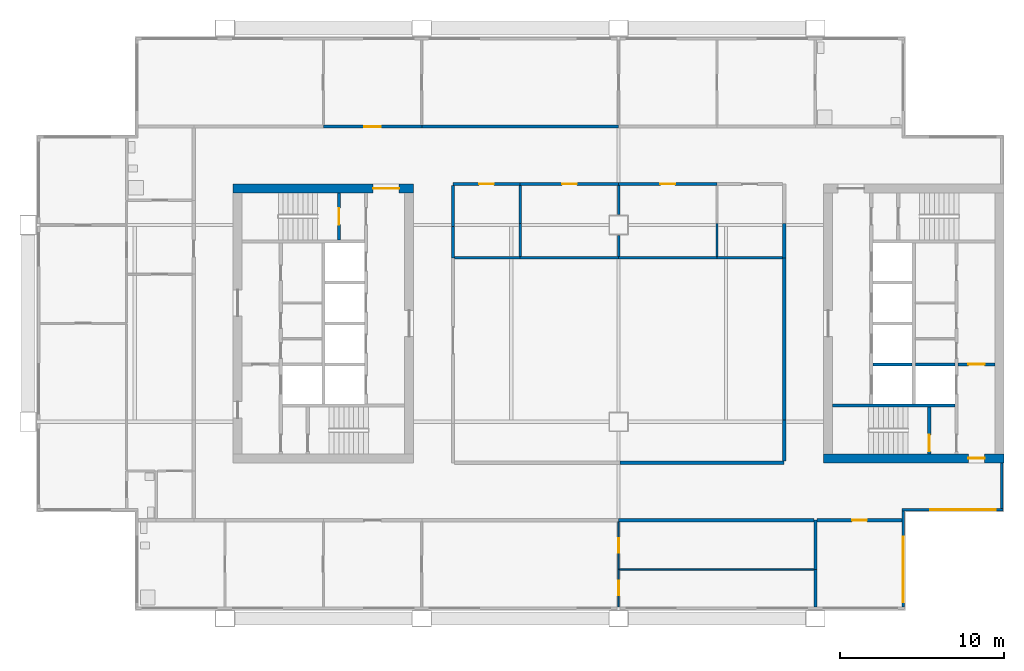
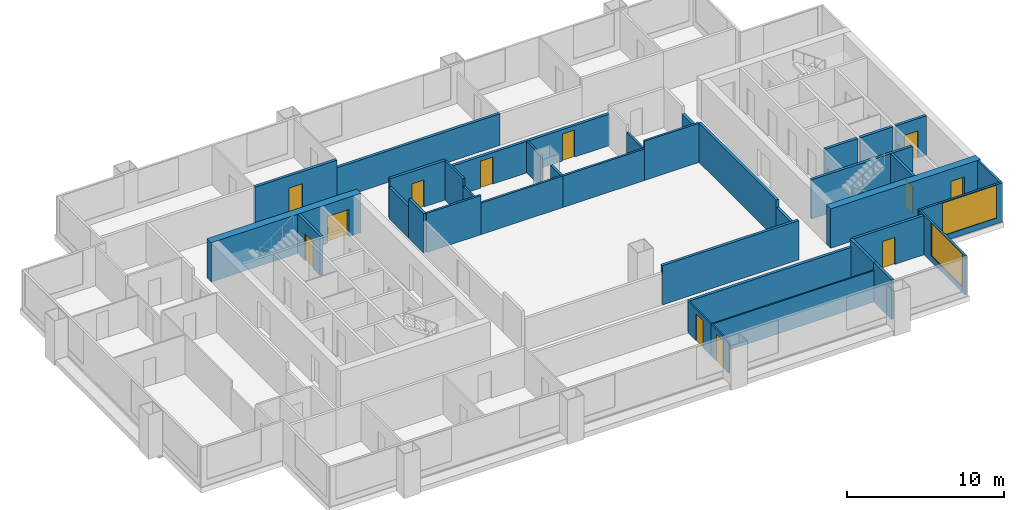
# One storey, part 4 of 8: 38 walls, 12 doors, 2 windows, 14 openings.
"""IFC4 building model written with IfcOpenShell, lengths in metres."""

from ifc_helpers import new_model, si_unit, direction, frame, frame_2d, origin, place, context, subcontext, project, spatial, rectangle, extrude, material, layer, layer_set, type_object, element, fill, save


model = new_model("IFC4")

# Units and contexts
model_context = context("Model", 3, precision=1e-05, world=origin(), true_north=direction((0.0, 1.0)))
body_context = subcontext(model_context, "Body", "Model", "MODEL_VIEW")
ifc_project = project(units=[si_unit("LENGTHUNIT", "METRE"), si_unit("AREAUNIT", "SQUARE_METRE"), si_unit("VOLUMEUNIT", "CUBIC_METRE"), si_unit("PLANEANGLEUNIT", "RADIAN"), si_unit("MASSUNIT", "GRAM", prefix="KILO")], contexts=[model_context])

# Site, building, storey
site_placement = place(None, origin())
site = spatial("IfcSite", under=ifc_project, at=site_placement, CompositionType="ELEMENT")
building_placement = place(site_placement, origin())
building = spatial("IfcBuilding", under=site, at=building_placement, Name="Kitamizu Gate Tower and Museum", CompositionType="ELEMENT")
storey_placement = place(building_placement, frame((0.0, 0.0, 203.10009765625)))
storey = spatial("IfcBuildingStorey", under=building, at=storey_placement, Name="L54", CompositionType="ELEMENT", Elevation=203.10009765625)

# Wall, opening, door
ifc_material_1 = material(Name="Concrete Fc42", Category="concrete")
ifc_layer_1 = layer(ifc_material_1, 0.550048828125)
ifc_layer_set_1 = layer_set([ifc_layer_1], Name="Concrete Fc42")
wall_type_1 = type_object("IfcWallType", Name="Core wall 550", PredefinedType="SHEAR", material=ifc_layer_set_1)
wall_1_placement = place(storey_placement, frame((12.5, 38.22509765625, 0.0), z_axis=(0.0, 0.0, 1.0), x_axis=(1.0, 0.0, 0.0)))
wall_1 = element("IfcWall", 1, at=wall_1_placement, inside=storey, type_object=wall_type_1, Name="Core wall WN", PredefinedType="SHEAR", context=body_context, shape_type="SweptSolid", body=[
    extrude(rectangle(XDim=11.0, YDim=0.550048828125, at=frame_2d((5.5, 0.0))), origin(), (0.0, 0.0, 1.0), 3.0498046875),
])
opening_1_placement = place(wall_1_placement, frame((8.52490234375, 0.0, 0.0)))
opening_1 = element("IfcOpeningElement", 2, at=opening_1_placement, cuts=wall_1, Name="Opening L54-034", PredefinedType="OPENING", context=body_context, shape_type="SweptSolid", body=[
    extrude(rectangle(XDim=1.60009765625, YDim=2.10009765625, at=frame_2d((0.800048828125, 1.050048828125))), frame((0.0, 0.28515625, 0.0), z_axis=(0.0, -1.0, 0.0), x_axis=(1.0, 0.0, 0.0)), (0.0, 0.0, 1.0), 0.570068359375),
])
ifc_material_2 = material(Name="Timber door set", Category="wood")
door_type_1 = type_object("IfcDoorType", Name="Entrance door 1600", OperationType="DOUBLE_DOOR_SINGLE_SWING", PredefinedType="DOOR", material=ifc_material_2)
door_1_placement = place(opening_1_placement, origin())
door_1 = element("IfcDoor", 3, at=door_1_placement, inside=storey, type_object=door_type_1, Name="Lobby door L54-034", OperationType="DOUBLE_DOOR_SINGLE_SWING", OverallHeight=2.10009765625, OverallWidth=1.60009765625, PredefinedType="DOOR", context=body_context, shape_type="SweptSolid", body=[
    extrude(rectangle(XDim=1.60009765625, YDim=2.10009765625, at=frame_2d((0.800048828125, 1.050048828125))), frame((0.0, 0.02490234375, 0.0), z_axis=(0.0, -1.0, 0.0), x_axis=(1.0, 0.0, 0.0)), (0.0, 0.0, 1.0), 0.050048828125),
])
fill(opening_1, door_1)

wall_2_placement = place(storey_placement, frame((59.5, 21.77490234375, 0.0), z_axis=(0.0, 0.0, 1.0), x_axis=(-1.0, 0.0, 0.0)))
wall_2 = element("IfcWall", 4, at=wall_2_placement, inside=storey, type_object=wall_type_1, Name="Core wall ES", PredefinedType="SHEAR", context=body_context, shape_type="SweptSolid", body=[
    extrude(rectangle(XDim=11.0, YDim=0.550048828125, at=frame_2d((5.5, 0.0))), origin(), (0.0, 0.0, 1.0), 3.0498046875),
])
opening_2_placement = place(wall_2_placement, frame((1.175048828125, 0.0, 0.0)))
opening_2 = element("IfcOpeningElement", 5, at=opening_2_placement, cuts=wall_2, Name="Opening L54-044", PredefinedType="OPENING", context=body_context, shape_type="SweptSolid", body=[
    extrude(rectangle(XDim=1.0, YDim=2.10009765625, at=frame_2d((0.5, 1.050048828125))), frame((0.0, 0.28515625, 0.0), z_axis=(0.0, -1.0, 0.0), x_axis=(1.0, 0.0, 0.0)), (0.0, 0.0, 1.0), 0.570068359375),
])
ifc_material_3 = material(Name="Hollow metal door set")
door_type_2 = type_object("IfcDoorType", Name="Fire door 1000", OperationType="NOTDEFINED", PredefinedType="DOOR", material=ifc_material_3)
door_2_placement = place(opening_2_placement, frame((1.0, 0.0, 0.0), x_axis=(-1.0, 0.0, 0.0)))
door_2 = element("IfcDoor", 6, at=door_2_placement, inside=storey, type_object=door_type_2, Name="Fire-fighting lobby door L54-044", OperationType="SINGLE_SWING_RIGHT", OverallHeight=2.10009765625, OverallWidth=1.0, PredefinedType="DOOR", context=body_context, shape_type="SweptSolid", body=[
    extrude(rectangle(XDim=1.0, YDim=2.10009765625, at=frame_2d((0.5, 1.050048828125))), frame((0.0, 0.02490234375, 0.0), z_axis=(0.0, -1.0, 0.0), x_axis=(1.0, 0.0, 0.0)), (0.0, 0.0, 1.0), 0.050048828125),
])
fill(opening_2, door_2)

ifc_material_4 = material(Name="Gypsum board on galvanised stud")
ifc_layer_2 = layer(ifc_material_4, 0.10009765625)
ifc_layer_set_2 = layer_set([ifc_layer_2], Name="Gypsum board on galvanised stud")
wall_type_2 = type_object("IfcWallType", Name="Partition 100 NOT RATED", PredefinedType="PARTITIONING", material=ifc_layer_set_2)
wall_3_placement = place(storey_placement, frame((36.0, 12.719970703125, 0.0), z_axis=(0.0, 0.0, 1.0), x_axis=(0.0, 1.0, 0.0)))
wall_3 = element("IfcWall", 7, at=wall_3_placement, inside=storey, type_object=wall_type_2, Name="Partition L54-009", PredefinedType="PARTITIONING", context=body_context, shape_type="SweptSolid", body=[
    extrude(rectangle(XDim=2.280029296875, YDim=0.10009765625, at=frame_2d((1.14013671875, 0.0))), origin(), (0.0, 0.0, 1.0), 2.449951171875),
])
opening_3_placement = place(wall_3_placement, frame((0.68994140625, 0.0, 0.0)))
opening_3 = element("IfcOpeningElement", 8, at=opening_3_placement, cuts=wall_3, Name="Opening L54-003", PredefinedType="OPENING", context=body_context, shape_type="SweptSolid", body=[
    extrude(rectangle(XDim=0.89990234375, YDim=2.10009765625, at=frame_2d((0.449951171875, 1.050048828125))), frame((0.0, 0.06005859375, 0.0), z_axis=(0.0, -1.0, 0.0), x_axis=(1.0, 0.0, 0.0)), (0.0, 0.0, 1.0), 0.1201171875),
])
ifc_material_5 = material(Name="Timber door set", Category="wood")
door_type_3 = type_object("IfcDoorType", Name="Room door 900", OperationType="NOTDEFINED", PredefinedType="DOOR", material=ifc_material_5)
door_3_placement = place(opening_3_placement, frame((0.89990234375, 0.0, 0.0), x_axis=(-1.0, 0.0, 0.0)))
door_3 = element("IfcDoor", 9, at=door_3_placement, inside=storey, type_object=door_type_3, Name="Door L54-003", OperationType="SINGLE_SWING_LEFT", OverallHeight=2.10009765625, OverallWidth=0.89990234375, PredefinedType="DOOR", context=body_context, shape_type="SweptSolid", body=[
    extrude(rectangle(XDim=0.89990234375, YDim=2.10009765625, at=frame_2d((0.449951171875, 1.050048828125))), frame((0.0, 0.02490234375, 0.0), z_axis=(0.0, -1.0, 0.0), x_axis=(1.0, 0.0, 0.0)), (0.0, 0.0, 1.0), 0.050048828125),
])
fill(opening_3, door_3)

wall_4_placement = place(storey_placement, frame((36.0, 15.0, 0.0), z_axis=(0.0, 0.0, 1.0), x_axis=(0.0, 1.0, 0.0)))
wall_4 = element("IfcWall", 10, at=wall_4_placement, inside=storey, type_object=wall_type_2, Name="Partition L54-010", PredefinedType="PARTITIONING", context=body_context, shape_type="SweptSolid", body=[
    extrude(rectangle(XDim=2.89990234375, YDim=0.10009765625, at=frame_2d((1.449951171875, 0.0))), origin(), (0.0, 0.0, 1.0), 2.449951171875),
])
opening_4_placement = place(wall_4_placement, frame((1.0, 0.0, 0.0)))
opening_4 = element("IfcOpeningElement", 11, at=opening_4_placement, cuts=wall_4, Name="Opening L54-004", PredefinedType="OPENING", context=body_context, shape_type="SweptSolid", body=[
    extrude(rectangle(XDim=0.89990234375, YDim=2.10009765625, at=frame_2d((0.449951171875, 1.050048828125))), frame((0.0, 0.06005859375, 0.0), z_axis=(0.0, -1.0, 0.0), x_axis=(1.0, 0.0, 0.0)), (0.0, 0.0, 1.0), 0.1201171875),
])
door_4_placement = place(opening_4_placement, frame((0.89990234375, 0.0, 0.0), x_axis=(-1.0, 0.0, 0.0)))
door_4 = element("IfcDoor", 12, at=door_4_placement, inside=storey, type_object=door_type_3, Name="Door L54-004", OperationType="SINGLE_SWING_RIGHT", OverallHeight=2.10009765625, OverallWidth=0.89990234375, PredefinedType="DOOR", context=body_context, shape_type="SweptSolid", body=[
    extrude(rectangle(XDim=0.89990234375, YDim=2.10009765625, at=frame_2d((0.449951171875, 1.050048828125))), frame((0.0, 0.02490234375, 0.0), z_axis=(0.0, -1.0, 0.0), x_axis=(1.0, 0.0, 0.0)), (0.0, 0.0, 1.0), 0.050048828125),
])
fill(opening_4, door_4)

# Walls
wall_5_placement = place(storey_placement, frame((47.89990234375, 15.0, 0.0), z_axis=(0.0, 0.0, 1.0), x_axis=(-1.0, 0.0, 0.0)))
element("IfcWall", 13, at=wall_5_placement, inside=storey, type_object=wall_type_2, Name="Partition L54-012", PredefinedType="PARTITIONING", context=body_context, shape_type="SweptSolid", body=[
    extrude(rectangle(XDim=11.849853515625, YDim=0.10009765625, at=frame_2d((5.9248046875, 0.0))), origin(), (0.0, 0.0, 1.0), 2.449951171875),
])
ifc_material_6 = material(Name="Gypsum board on galvanised stud")
ifc_layer_3 = layer(ifc_material_6, 0.14990234375)
ifc_layer_set_3 = layer_set([ifc_layer_3], Name="Gypsum board on galvanised stud")
wall_type_3 = type_object("IfcWallType", Name="Partition 150", PredefinedType="PARTITIONING", material=ifc_layer_set_3)
wall_6_placement = place(storey_placement, frame((30.0, 34.0, 0.0), z_axis=(0.0, 0.0, 1.0), x_axis=(-1.0, 0.0, 0.0)))
element("IfcWall", 14, at=wall_6_placement, inside=storey, type_object=wall_type_3, Name="Partition L54-063", PredefinedType="PARTITIONING", context=body_context, shape_type="SweptSolid", body=[
    extrude(rectangle(XDim=4.0, YDim=0.14990234375, at=frame_2d((2.0, 0.0))), origin(), (0.0, 0.0, 1.0), 3.0498046875),
])
for number, where, z_axis, x_axis, name in (
    (15, (36.0, 34.0, 0.0), (0.0, 0.0, 1.0), (-1.0, 0.0, 0.0), "Partition L54-064"),
    (16, (42.0, 34.0, 0.0), (0.0, 0.0, 1.0), (-1.0, 0.0, 0.0), "Partition L54-065"),
):
    element("IfcWall", number, at=place(storey_placement, frame(where, z_axis=z_axis, x_axis=x_axis)), inside=storey, type_object=wall_type_3, Name=name, PredefinedType="PARTITIONING", context=body_context, shape_type="SweptSolid", body=[
        extrude(rectangle(XDim=6.0, YDim=0.14990234375, at=frame_2d((3.0, 0.0))), origin(), (0.0, 0.0, 1.0), 2.449951171875),
    ])
wall_7_placement = place(storey_placement, frame((46.0, 34.0, 0.0), z_axis=(0.0, 0.0, 1.0), x_axis=(-1.0, 0.0, 0.0)))
element("IfcWall", 17, at=wall_7_placement, inside=storey, type_object=wall_type_3, Name="Partition L54-066", PredefinedType="PARTITIONING", context=body_context, shape_type="SweptSolid", body=[
    extrude(rectangle(XDim=4.0, YDim=0.14990234375, at=frame_2d((2.0, 0.0))), origin(), (0.0, 0.0, 1.0), 3.0498046875),
])
wall_8_placement = place(storey_placement, frame((30.0, 34.074951171875, 0.0), z_axis=(0.0, 0.0, 1.0), x_axis=(0.0, 1.0, 0.0)))
element("IfcWall", 18, at=wall_8_placement, inside=storey, type_object=wall_type_3, Name="Partition L54-067", PredefinedType="PARTITIONING", context=body_context, shape_type="SweptSolid", body=[
    extrude(rectangle(XDim=2.025146484375, YDim=0.14990234375, at=frame_2d((1.0126953125, 0.0))), origin(), (0.0, 0.0, 1.0), 2.449951171875),
])
wall_9_placement = place(storey_placement, frame((30.0, 36.10009765625, 0.0), z_axis=(0.0, 0.0, 1.0), x_axis=(0.0, 1.0, 0.0)))
element("IfcWall", 19, at=wall_9_placement, inside=storey, type_object=wall_type_3, Name="Partition L54-068", PredefinedType="PARTITIONING", context=body_context, shape_type="SweptSolid", body=[
    extrude(rectangle(XDim=2.2998046875, YDim=0.14990234375, at=frame_2d((1.14990234375, 0.0))), origin(), (0.0, 0.0, 1.0), 3.0498046875),
])
wall_10_placement = place(storey_placement, frame((36.0, 34.074951171875, 0.0), z_axis=(0.0, 0.0, 1.0), x_axis=(0.0, 1.0, 0.0)))
element("IfcWall", 20, at=wall_10_placement, inside=storey, type_object=wall_type_3, Name="Partition L54-069", PredefinedType="PARTITIONING", context=body_context, shape_type="SweptSolid", body=[
    extrude(rectangle(XDim=1.275146484375, YDim=0.14990234375, at=frame_2d((0.6376953125, 0.0))), origin(), (0.0, 0.0, 1.0), 2.449951171875),
])
wall_11_placement = place(storey_placement, frame((36.0, 36.64990234375, 0.0), z_axis=(0.0, 0.0, 1.0), x_axis=(0.0, 1.0, 0.0)))
element("IfcWall", 21, at=wall_11_placement, inside=storey, type_object=wall_type_3, Name="Partition L54-070", PredefinedType="PARTITIONING", context=body_context, shape_type="SweptSolid", body=[
    extrude(rectangle(XDim=1.75, YDim=0.14990234375, at=frame_2d((0.875, 0.0))), origin(), (0.0, 0.0, 1.0), 2.449951171875),
])
wall_12_placement = place(storey_placement, frame((42.0, 34.074951171875, 0.0), z_axis=(0.0, 0.0, 1.0), x_axis=(0.0, 1.0, 0.0)))
element("IfcWall", 22, at=wall_12_placement, inside=storey, type_object=wall_type_3, Name="Partition L54-071", PredefinedType="PARTITIONING", context=body_context, shape_type="SweptSolid", body=[
    extrude(rectangle(XDim=2.025146484375, YDim=0.14990234375, at=frame_2d((1.0126953125, 0.0))), origin(), (0.0, 0.0, 1.0), 2.449951171875),
])
ifc_material_7 = material(Name="Gypsum board on galvanised stud")
ifc_layer_4 = layer(ifc_material_7, 0.199951171875)
ifc_layer_set_4 = layer_set([ifc_layer_4], Name="Gypsum board on galvanised stud")
wall_type_4 = type_object("IfcWallType", Name="Partition 200", PredefinedType="PARTITIONING", material=ifc_layer_set_4)
wall_13_placement = place(storey_placement, frame((48.0, 12.719970703125, 0.0), z_axis=(0.0, 0.0, 1.0), x_axis=(0.0, 1.0, 0.0)))
element("IfcWall", 23, at=wall_13_placement, inside=storey, type_object=wall_type_4, Name="Partition L54-013", PredefinedType="PARTITIONING", context=body_context, shape_type="SweptSolid", body=[
    extrude(rectangle(XDim=2.280029296875, YDim=0.199951171875, at=frame_2d((1.14013671875, 0.0))), origin(), (0.0, 0.0, 1.0), 3.0498046875),
])
wall_14_placement = place(storey_placement, frame((48.0, 15.0, 0.0), z_axis=(0.0, 0.0, 1.0), x_axis=(0.0, 1.0, 0.0)))
element("IfcWall", 24, at=wall_14_placement, inside=storey, type_object=wall_type_4, Name="Partition L54-014", PredefinedType="PARTITIONING", context=body_context, shape_type="SweptSolid", body=[
    extrude(rectangle(XDim=3.0, YDim=0.199951171875, at=frame_2d((1.5, 0.0))), origin(), (0.0, 0.0, 1.0), 3.0498046875),
])
wall_15_placement = place(storey_placement, frame((47.89990234375, 18.0, 0.0), z_axis=(0.0, 0.0, 1.0), x_axis=(-1.0, 0.0, 0.0)))
element("IfcWall", 25, at=wall_15_placement, inside=storey, type_object=wall_type_4, Name="Partition L54-015", PredefinedType="PARTITIONING", context=body_context, shape_type="SweptSolid", body=[
    extrude(rectangle(XDim=11.89990234375, YDim=0.199951171875, at=frame_2d((5.949951171875, 0.0))), origin(), (0.0, 0.0, 1.0), 2.449951171875),
])

# Wall, opening, door
wall_16_placement = place(storey_placement, frame((53.280029296875, 18.0, 0.0), z_axis=(0.0, 0.0, 1.0), x_axis=(-1.0, 0.0, 0.0)))
wall_16 = element("IfcWall", 26, at=wall_16_placement, inside=storey, type_object=wall_type_4, Name="Partition L54-016", PredefinedType="PARTITIONING", context=body_context, shape_type="SweptSolid", body=[
    extrude(rectangle(XDim=5.179931640625, YDim=0.199951171875, at=frame_2d((2.58984375, 0.0))), origin(), (0.0, 0.0, 1.0), 3.0498046875),
])
opening_5_placement = place(wall_16_placement, frame((2.139892578125, 0.0, 0.0)))
opening_5 = element("IfcOpeningElement", 27, at=opening_5_placement, cuts=wall_16, Name="Opening L54-021", PredefinedType="OPENING", context=body_context, shape_type="SweptSolid", body=[
    extrude(rectangle(XDim=0.89990234375, YDim=2.10009765625, at=frame_2d((0.449951171875, 1.050048828125))), frame((0.0, 0.10986328125, 0.0), z_axis=(0.0, -1.0, 0.0), x_axis=(1.0, 0.0, 0.0)), (0.0, 0.0, 1.0), 0.219970703125),
])
door_5_placement = place(opening_5_placement, origin())
door_5 = element("IfcDoor", 28, at=door_5_placement, inside=storey, type_object=door_type_3, Name="Door L54-021", OperationType="SINGLE_SWING_RIGHT", OverallHeight=2.10009765625, OverallWidth=0.89990234375, PredefinedType="DOOR", context=body_context, shape_type="SweptSolid", body=[
    extrude(rectangle(XDim=0.89990234375, YDim=2.10009765625, at=frame_2d((0.449951171875, 1.050048828125))), frame((0.0, 0.02490234375, 0.0), z_axis=(0.0, -1.0, 0.0), x_axis=(1.0, 0.0, 0.0)), (0.0, 0.0, 1.0), 0.050048828125),
])
fill(opening_5, door_5)

wall_17_placement = place(storey_placement, frame((18.0, 42.0, 0.0), z_axis=(0.0, 0.0, 1.0), x_axis=(1.0, 0.0, 0.0)))
wall_17 = element("IfcWall", 29, at=wall_17_placement, inside=storey, type_object=wall_type_4, Name="Partition L54-021", PredefinedType="PARTITIONING", context=body_context, shape_type="SweptSolid", body=[
    extrude(rectangle(XDim=6.0, YDim=0.199951171875, at=frame_2d((3.0, 0.0))), origin(), (0.0, 0.0, 1.0), 3.0498046875),
])
opening_6_placement = place(wall_17_placement, frame((2.5, 0.0, 0.0)))
opening_6 = element("IfcOpeningElement", 30, at=opening_6_placement, cuts=wall_17, Name="Opening L54-007", PredefinedType="OPENING", context=body_context, shape_type="SweptSolid", body=[
    extrude(rectangle(XDim=1.0, YDim=2.10009765625, at=frame_2d((0.5, 1.050048828125))), frame((0.0, 0.10986328125, 0.0), z_axis=(0.0, -1.0, 0.0), x_axis=(1.0, 0.0, 0.0)), (0.0, 0.0, 1.0), 0.219970703125),
])
ifc_material_8 = material(Name="Timber door set", Category="wood")
door_type_4 = type_object("IfcDoorType", Name="Flat entrance door 1000", OperationType="NOTDEFINED", PredefinedType="DOOR", material=ifc_material_8)
door_6_placement = place(opening_6_placement, origin())
door_6 = element("IfcDoor", 31, at=door_6_placement, inside=storey, type_object=door_type_4, Name="Flat entrance door L54-007", OperationType="SINGLE_SWING_RIGHT", OverallHeight=2.10009765625, OverallWidth=1.0, PredefinedType="DOOR", context=body_context, shape_type="SweptSolid", body=[
    extrude(rectangle(XDim=1.0, YDim=2.10009765625, at=frame_2d((0.5, 1.050048828125))), frame((0.0, 0.02490234375, 0.0), z_axis=(0.0, -1.0, 0.0), x_axis=(1.0, 0.0, 0.0)), (0.0, 0.0, 1.0), 0.050048828125),
])
fill(opening_6, door_6)

# Walls
wall_18_placement = place(storey_placement, frame((24.0, 42.0, 0.0), z_axis=(0.0, 0.0, 1.0), x_axis=(1.0, 0.0, 0.0)))
element("IfcWall", 32, at=wall_18_placement, inside=storey, type_object=wall_type_4, Name="Partition L54-023", PredefinedType="PARTITIONING", context=body_context, shape_type="SweptSolid", body=[
    extrude(rectangle(XDim=12.0, YDim=0.199951171875, at=frame_2d((6.0, 0.0))), origin(), (0.0, 0.0, 1.0), 2.449951171875),
])
wall_19_placement = place(storey_placement, frame((36.10009765625, 21.5, 0.0), z_axis=(0.0, 0.0, 1.0), x_axis=(1.0, 0.0, 0.0)))
element("IfcWall", 33, at=wall_19_placement, inside=storey, type_object=wall_type_4, Name="Partition L54-052", PredefinedType="PARTITIONING", context=body_context, shape_type="SweptSolid", body=[
    extrude(rectangle(XDim=10.0, YDim=0.199951171875, at=frame_2d((5.0, 0.0))), origin(), (0.0, 0.0, 1.0), 3.0498046875),
])
wall_20_placement = place(storey_placement, frame((46.10009765625, 21.60009765625, 0.0), z_axis=(0.0, 0.0, 1.0), x_axis=(0.0, 1.0, 0.0)))
element("IfcWall", 34, at=wall_20_placement, inside=storey, type_object=wall_type_4, Name="Partition L54-053", PredefinedType="PARTITIONING", context=body_context, shape_type="SweptSolid", body=[
    extrude(rectangle(XDim=2.5, YDim=0.199951171875, at=frame_2d((1.25, 0.0))), origin(), (0.0, 0.0, 1.0), 2.449951171875),
])
wall_21_placement = place(storey_placement, frame((46.10009765625, 24.10009765625, 0.0), z_axis=(0.0, 0.0, 1.0), x_axis=(0.0, 1.0, 0.0)))
element("IfcWall", 35, at=wall_21_placement, inside=storey, type_object=wall_type_4, Name="Partition L54-054", PredefinedType="PARTITIONING", context=body_context, shape_type="SweptSolid", body=[
    extrude(rectangle(XDim=9.89990234375, YDim=0.199951171875, at=frame_2d((4.949951171875, 0.0))), origin(), (0.0, 0.0, 1.0), 3.0498046875),
])

# Wall, opening, door
wall_22_placement = place(storey_placement, frame((30.0, 38.5, 0.0), z_axis=(0.0, 0.0, 1.0), x_axis=(-1.0, 0.0, 0.0)))
wall_22 = element("IfcWall", 36, at=wall_22_placement, inside=storey, type_object=wall_type_4, Name="Partition L54-055", PredefinedType="PARTITIONING", context=body_context, shape_type="SweptSolid", body=[
    extrude(rectangle(XDim=4.10009765625, YDim=0.199951171875, at=frame_2d((2.050048828125, 0.0))), origin(), (0.0, 0.0, 1.0), 3.0498046875),
])
opening_7_placement = place(wall_22_placement, frame((1.60009765625, 0.0, 0.0)))
opening_7 = element("IfcOpeningElement", 37, at=opening_7_placement, cuts=wall_22, Name="Opening L54-023", PredefinedType="OPENING", context=body_context, shape_type="SweptSolid", body=[
    extrude(rectangle(XDim=0.89990234375, YDim=2.10009765625, at=frame_2d((0.449951171875, 1.050048828125))), frame((0.0, 0.10986328125, 0.0), z_axis=(0.0, -1.0, 0.0), x_axis=(1.0, 0.0, 0.0)), (0.0, 0.0, 1.0), 0.219970703125),
])
door_7_placement = place(opening_7_placement, origin())
door_7 = element("IfcDoor", 38, at=door_7_placement, inside=storey, type_object=door_type_3, Name="Door L54-023", OperationType="SINGLE_SWING_LEFT", OverallHeight=2.10009765625, OverallWidth=0.89990234375, PredefinedType="DOOR", context=body_context, shape_type="SweptSolid", body=[
    extrude(rectangle(XDim=0.89990234375, YDim=2.10009765625, at=frame_2d((0.449951171875, 1.050048828125))), frame((0.0, 0.02490234375, 0.0), z_axis=(0.0, -1.0, 0.0), x_axis=(1.0, 0.0, 0.0)), (0.0, 0.0, 1.0), 0.050048828125),
])
fill(opening_7, door_7)

# Walls
wall_23_placement = place(storey_placement, frame((25.89990234375, 38.39990234375, 0.0), z_axis=(0.0, 0.0, 1.0), x_axis=(0.0, -1.0, 0.0)))
element("IfcWall", 39, at=wall_23_placement, inside=storey, type_object=wall_type_4, Name="Partition L54-056", PredefinedType="PARTITIONING", context=body_context, shape_type="SweptSolid", body=[
    extrude(rectangle(XDim=2.5, YDim=0.199951171875, at=frame_2d((1.25, 0.0))), origin(), (0.0, 0.0, 1.0), 2.449951171875),
])
wall_24_placement = place(storey_placement, frame((25.89990234375, 35.89990234375, 0.0), z_axis=(0.0, 0.0, 1.0), x_axis=(0.0, -1.0, 0.0)))
element("IfcWall", 40, at=wall_24_placement, inside=storey, type_object=wall_type_4, Name="Partition L54-057", PredefinedType="PARTITIONING", context=body_context, shape_type="SweptSolid", body=[
    extrude(rectangle(XDim=1.89990234375, YDim=0.199951171875, at=frame_2d((0.949951171875, 0.0))), origin(), (0.0, 0.0, 1.0), 3.0498046875),
])

# Wall, opening, door
wall_25_placement = place(storey_placement, frame((36.0, 38.5, 0.0), z_axis=(0.0, 0.0, 1.0), x_axis=(-1.0, 0.0, 0.0)))
wall_25 = element("IfcWall", 41, at=wall_25_placement, inside=storey, type_object=wall_type_4, Name="Partition L54-058", PredefinedType="PARTITIONING", context=body_context, shape_type="SweptSolid", body=[
    extrude(rectangle(XDim=6.0, YDim=0.199951171875, at=frame_2d((3.0, 0.0))), origin(), (0.0, 0.0, 1.0), 2.449951171875),
])
opening_8_placement = place(wall_25_placement, frame((2.550048828125, 0.0, 0.0)))
opening_8 = element("IfcOpeningElement", 42, at=opening_8_placement, cuts=wall_25, Name="Opening L54-024", PredefinedType="OPENING", context=body_context, shape_type="SweptSolid", body=[
    extrude(rectangle(XDim=0.89990234375, YDim=2.10009765625, at=frame_2d((0.449951171875, 1.050048828125))), frame((0.0, 0.10986328125, 0.0), z_axis=(0.0, -1.0, 0.0), x_axis=(1.0, 0.0, 0.0)), (0.0, 0.0, 1.0), 0.219970703125),
])
door_8_placement = place(opening_8_placement, origin())
door_8 = element("IfcDoor", 43, at=door_8_placement, inside=storey, type_object=door_type_3, Name="Door L54-024", OperationType="SINGLE_SWING_RIGHT", OverallHeight=2.10009765625, OverallWidth=0.89990234375, PredefinedType="DOOR", context=body_context, shape_type="SweptSolid", body=[
    extrude(rectangle(XDim=0.89990234375, YDim=2.10009765625, at=frame_2d((0.449951171875, 1.050048828125))), frame((0.0, 0.02490234375, 0.0), z_axis=(0.0, -1.0, 0.0), x_axis=(1.0, 0.0, 0.0)), (0.0, 0.0, 1.0), 0.050048828125),
])
fill(opening_8, door_8)

wall_26_placement = place(storey_placement, frame((42.0, 38.5, 0.0), z_axis=(0.0, 0.0, 1.0), x_axis=(-1.0, 0.0, 0.0)))
wall_26 = element("IfcWall", 44, at=wall_26_placement, inside=storey, type_object=wall_type_4, Name="Partition L54-059", PredefinedType="PARTITIONING", context=body_context, shape_type="SweptSolid", body=[
    extrude(rectangle(XDim=6.0, YDim=0.199951171875, at=frame_2d((3.0, 0.0))), origin(), (0.0, 0.0, 1.0), 2.449951171875),
])
opening_9_placement = place(wall_26_placement, frame((2.550048828125, 0.0, 0.0)))
opening_9 = element("IfcOpeningElement", 45, at=opening_9_placement, cuts=wall_26, Name="Opening L54-025", PredefinedType="OPENING", context=body_context, shape_type="SweptSolid", body=[
    extrude(rectangle(XDim=0.89990234375, YDim=2.10009765625, at=frame_2d((0.449951171875, 1.050048828125))), frame((0.0, 0.10986328125, 0.0), z_axis=(0.0, -1.0, 0.0), x_axis=(1.0, 0.0, 0.0)), (0.0, 0.0, 1.0), 0.219970703125),
])
door_9_placement = place(opening_9_placement, origin())
door_9 = element("IfcDoor", 46, at=door_9_placement, inside=storey, type_object=door_type_3, Name="Door L54-025", OperationType="SINGLE_SWING_LEFT", OverallHeight=2.10009765625, OverallWidth=0.89990234375, PredefinedType="DOOR", context=body_context, shape_type="SweptSolid", body=[
    extrude(rectangle(XDim=0.89990234375, YDim=2.10009765625, at=frame_2d((0.449951171875, 1.050048828125))), frame((0.0, 0.02490234375, 0.0), z_axis=(0.0, -1.0, 0.0), x_axis=(1.0, 0.0, 0.0)), (0.0, 0.0, 1.0), 0.050048828125),
])
fill(opening_9, door_9)

# Wall
wall_27_placement = place(storey_placement, frame((46.10009765625, 34.0, 0.0), z_axis=(0.0, 0.0, 1.0), x_axis=(0.0, 1.0, 0.0)))
element("IfcWall", 47, at=wall_27_placement, inside=storey, type_object=wall_type_4, Name="Partition L54-060", PredefinedType="PARTITIONING", context=body_context, shape_type="SweptSolid", body=[
    extrude(rectangle(XDim=2.10009765625, YDim=0.199951171875, at=frame_2d((1.050048828125, 0.0))), origin(), (0.0, 0.0, 1.0), 2.449951171875),
])

# Wall, opening, door
ifc_material_9 = material(Name="Concrete Fc42", Category="concrete")
ifc_layer_5 = layer(ifc_material_9, 0.199951171875)
ifc_layer_set_5 = layer_set([ifc_layer_5], Name="Concrete Fc42")
wall_type_5 = type_object("IfcWallType", Name="Shaft wall 200", PredefinedType="SOLIDWALL", material=ifc_layer_set_5)
wall_28_placement = place(storey_placement, frame((18.949951171875, 35.10009765625, 0.0), z_axis=(0.0, 0.0, 1.0), x_axis=(0.0, 1.0, 0.0)))
wall_28 = element("IfcWall", 48, at=wall_28_placement, inside=storey, type_object=wall_type_5, Name="Shaft wall WNZ", PredefinedType="SOLIDWALL", context=body_context, shape_type="SweptSolid", body=[
    extrude(rectangle(XDim=2.849853515625, YDim=0.199951171875, at=frame_2d((1.4248046875, 0.0))), origin(), (0.0, 0.0, 1.0), 3.0498046875),
])
opening_10_placement = place(wall_28_placement, frame((0.925048828125, 0.0, 0.0)))
opening_10 = element("IfcOpeningElement", 49, at=opening_10_placement, cuts=wall_28, Name="Opening L54-030", PredefinedType="OPENING", context=body_context, shape_type="SweptSolid", body=[
    extrude(rectangle(XDim=1.0, YDim=2.10009765625, at=frame_2d((0.5, 1.050048828125))), frame((0.0, 0.10986328125, 0.0), z_axis=(0.0, -1.0, 0.0), x_axis=(1.0, 0.0, 0.0)), (0.0, 0.0, 1.0), 0.219970703125),
])
door_10_placement = place(opening_10_placement, origin())
door_10 = element("IfcDoor", 50, at=door_10_placement, inside=storey, type_object=door_type_2, Name="Stair door L54-030", OperationType="SINGLE_SWING_RIGHT", OverallHeight=2.10009765625, OverallWidth=1.0, PredefinedType="DOOR", context=body_context, shape_type="SweptSolid", body=[
    extrude(rectangle(XDim=1.0, YDim=2.10009765625, at=frame_2d((0.5, 1.050048828125))), frame((0.0, 0.02490234375, 0.0), z_axis=(0.0, -1.0, 0.0), x_axis=(1.0, 0.0, 0.0)), (0.0, 0.0, 1.0), 0.050048828125),
])
fill(opening_10, door_10)

# Wall
wall_29_placement = place(storey_placement, frame((56.5, 25.0, 0.0), z_axis=(0.0, 0.0, 1.0), x_axis=(-1.0, 0.0, 0.0)))
element("IfcWall", 51, at=wall_29_placement, inside=storey, type_object=wall_type_5, Name="Shaft wall ESB", PredefinedType="SOLIDWALL", context=body_context, shape_type="SweptSolid", body=[
    extrude(rectangle(XDim=7.449951171875, YDim=0.199951171875, at=frame_2d((3.72509765625, 0.0))), origin(), (0.0, 0.0, 1.0), 3.0498046875),
])

# Wall, opening, door
wall_30_placement = place(storey_placement, frame((58.949951171875, 27.5, 0.0), z_axis=(0.0, 0.0, 1.0), x_axis=(-1.0, 0.0, 0.0)))
wall_30 = element("IfcWall", 52, at=wall_30_placement, inside=storey, type_object=wall_type_5, Name="Shaft wall EFFN", PredefinedType="SOLIDWALL", context=body_context, shape_type="SweptSolid", body=[
    extrude(rectangle(XDim=2.25, YDim=0.199951171875, at=frame_2d((1.125, 0.0))), origin(), (0.0, 0.0, 1.0), 3.0498046875),
])
opening_11_placement = place(wall_30_placement, frame((0.625, 0.0, 0.0)))
opening_11 = element("IfcOpeningElement", 53, at=opening_11_placement, cuts=wall_30, Name="Opening L54-043", PredefinedType="OPENING", context=body_context, shape_type="SweptSolid", body=[
    extrude(rectangle(XDim=1.0, YDim=2.10009765625, at=frame_2d((0.5, 1.050048828125))), frame((0.0, 0.10986328125, 0.0), z_axis=(0.0, -1.0, 0.0), x_axis=(1.0, 0.0, 0.0)), (0.0, 0.0, 1.0), 0.219970703125),
])
door_11_placement = place(opening_11_placement, origin())
door_11 = element("IfcDoor", 54, at=door_11_placement, inside=storey, type_object=door_type_2, Name="Fire-fighting lobby door L54-043", OperationType="SINGLE_SWING_RIGHT", OverallHeight=2.10009765625, OverallWidth=1.0, PredefinedType="DOOR", context=body_context, shape_type="SweptSolid", body=[
    extrude(rectangle(XDim=1.0, YDim=2.10009765625, at=frame_2d((0.5, 1.050048828125))), frame((0.0, 0.02490234375, 0.0), z_axis=(0.0, -1.0, 0.0), x_axis=(1.0, 0.0, 0.0)), (0.0, 0.0, 1.0), 0.050048828125),
])
fill(opening_11, door_11)

wall_31_placement = place(storey_placement, frame((54.949951171875, 22.050048828125, 0.0), z_axis=(0.0, 0.0, 1.0), x_axis=(0.0, 1.0, 0.0)))
wall_31 = element("IfcWall", 55, at=wall_31_placement, inside=storey, type_object=wall_type_5, Name="Shaft wall ESZ", PredefinedType="SOLIDWALL", context=body_context, shape_type="SweptSolid", body=[
    extrude(rectangle(XDim=2.849853515625, YDim=0.199951171875, at=frame_2d((1.4248046875, 0.0))), origin(), (0.0, 0.0, 1.0), 3.0498046875),
])
opening_12_placement = place(wall_31_placement, frame((0.14990234375, 0.0, 0.0)))
opening_12 = element("IfcOpeningElement", 56, at=opening_12_placement, cuts=wall_31, Name="Opening L54-039", PredefinedType="OPENING", context=body_context, shape_type="SweptSolid", body=[
    extrude(rectangle(XDim=1.0, YDim=2.10009765625, at=frame_2d((0.5, 1.050048828125))), frame((0.0, 0.10986328125, 0.0), z_axis=(0.0, -1.0, 0.0), x_axis=(1.0, 0.0, 0.0)), (0.0, 0.0, 1.0), 0.219970703125),
])
door_12_placement = place(opening_12_placement, origin())
door_12 = element("IfcDoor", 57, at=door_12_placement, inside=storey, type_object=door_type_2, Name="Stair door L54-039", OperationType="SINGLE_SWING_RIGHT", OverallHeight=2.10009765625, OverallWidth=1.0, PredefinedType="DOOR", context=body_context, shape_type="SweptSolid", body=[
    extrude(rectangle(XDim=1.0, YDim=2.10009765625, at=frame_2d((0.5, 1.050048828125))), frame((0.0, 0.02490234375, 0.0), z_axis=(0.0, -1.0, 0.0), x_axis=(1.0, 0.0, 0.0)), (0.0, 0.0, 1.0), 0.050048828125),
])
fill(opening_12, door_12)

# Walls
for number, where, z_axis, x_axis, name in (
    (58, (56.5, 27.5, 0.0), (0.0, 0.0, 1.0), (-1.0, 0.0, 0.0), "Shaft wall EDVW0"),
    (59, (53.89990234375, 27.5, 0.0), (0.0, 0.0, 1.0), (-1.0, 0.0, 0.0), "Shaft wall EDVE0"),
):
    element("IfcWall", number, at=place(storey_placement, frame(where, z_axis=z_axis, x_axis=x_axis)), inside=storey, type_object=wall_type_5, Name=name, PredefinedType="SOLIDWALL", context=body_context, shape_type="SweptSolid", body=[
        extrude(rectangle(XDim=2.39990234375, YDim=0.199951171875, at=frame_2d((1.199951171875, 0.0))), origin(), (0.0, 0.0, 1.0), 3.0498046875),
    ])

# Wall, opening, window
ifc_material_10 = material(Name="Bronze anodised aluminium frame with insulated spandrel and tinted glass", Category="aluminium")
ifc_layer_6 = layer(ifc_material_10, 0.14990234375)
ifc_layer_set_6 = layer_set([ifc_layer_6], Name="Bronze anodised aluminium frame with insulated spandrel and tinted glass")
wall_type_6 = type_object("IfcWallType", Name="WINDOW WALL 150 BRONZE FRAME EI 30", PredefinedType="ELEMENTEDWALL", material=ifc_layer_set_6)
wall_32_placement = place(storey_placement, frame((53.364990234375, 12.7099609375, 0.0), z_axis=(0.0, 0.0, 1.0), x_axis=(0.0, 1.0, 0.0)))
wall_32 = element("IfcWall", 60, at=wall_32_placement, inside=storey, type_object=wall_type_6, Name="Window wall east L54", PredefinedType="ELEMENTEDWALL", context=body_context, shape_type="SweptSolid", body=[
    extrude(rectangle(XDim=5.85009765625, YDim=0.14990234375, at=frame_2d((2.925048828125, 0.0))), origin(), (0.0, 0.0, 1.0), 3.0498046875),
])
opening_13_placement = place(wall_32_placement, frame((0.2900390625, 0.0, 0.449951171875)))
opening_13 = element("IfcOpeningElement", 61, at=opening_13_placement, cuts=wall_32, Name="Opening W16", PredefinedType="OPENING", context=body_context, shape_type="SweptSolid", body=[
    extrude(rectangle(XDim=4.0, YDim=2.550048828125, at=frame_2d((2.0, 1.27490234375))), frame((0.0, 0.0849609375, 0.0), z_axis=(0.0, -1.0, 0.0), x_axis=(1.0, 0.0, 0.0)), (0.0, 0.0, 1.0), 0.169921875),
])
ifc_material_11 = material(Name="Bronze anodised aluminium frame, tinted triple glazing", Category="aluminium")
window_type = type_object("IfcWindowType", Name="WINDOW 4000 x 2550 SILL 450", PartitioningType="SINGLE_PANEL", PredefinedType="WINDOW", material=ifc_material_11)
window_1_placement = place(opening_13_placement, origin())
window_1 = element("IfcWindow", 62, at=window_1_placement, inside=storey, type_object=window_type, Name="Window W16 L54", OverallHeight=2.550048828125, OverallWidth=4.0, PartitioningType="SINGLE_PANEL", PredefinedType="WINDOW", context=body_context, shape_type="SweptSolid", body=[
    extrude(rectangle(XDim=4.0, YDim=2.550048828125, at=frame_2d((2.0, 1.27490234375))), frame((0.0, 0.030029296875, 0.0), z_axis=(0.0, -1.0, 0.0), x_axis=(1.0, 0.0, 0.0)), (0.0, 0.0, 1.0), 0.06005859375),
])
fill(opening_13, window_1)

wall_33_placement = place(storey_placement, frame((53.2900390625, 18.635009765625, 0.0), z_axis=(0.0, 0.0, 1.0), x_axis=(1.0, 0.0, 0.0)))
wall_33 = element("IfcWall", 63, at=wall_33_placement, inside=storey, type_object=wall_type_6, Name="Window wall south L54", PredefinedType="ELEMENTEDWALL", context=body_context, shape_type="SweptSolid", body=[
    extrude(rectangle(XDim=6.14990234375, YDim=0.14990234375, at=frame_2d((3.074951171875, 0.0))), origin(), (0.0, 0.0, 1.0), 3.0498046875),
])
opening_14_placement = place(wall_33_placement, frame((1.7099609375, 0.0, 0.449951171875)))
opening_14 = element("IfcOpeningElement", 64, at=opening_14_placement, cuts=wall_33, Name="Opening W16", PredefinedType="OPENING", context=body_context, shape_type="SweptSolid", body=[
    extrude(rectangle(XDim=4.0, YDim=2.550048828125, at=frame_2d((2.0, 1.27490234375))), frame((0.0, 0.0849609375, 0.0), z_axis=(0.0, -1.0, 0.0), x_axis=(1.0, 0.0, 0.0)), (0.0, 0.0, 1.0), 0.169921875),
])
window_2_placement = place(opening_14_placement, origin())
window_2 = element("IfcWindow", 65, at=window_2_placement, inside=storey, type_object=window_type, Name="Window W16 L54", OverallHeight=2.550048828125, OverallWidth=4.0, PartitioningType="SINGLE_PANEL", PredefinedType="WINDOW", context=body_context, shape_type="SweptSolid", body=[
    extrude(rectangle(XDim=4.0, YDim=2.550048828125, at=frame_2d((2.0, 1.27490234375))), frame((0.0, 0.030029296875, 0.0), z_axis=(0.0, -1.0, 0.0), x_axis=(1.0, 0.0, 0.0)), (0.0, 0.0, 1.0), 0.06005859375),
])
fill(opening_14, window_2)

# Wall
wall_34_placement = place(storey_placement, frame((59.364990234375, 18.7099609375, 0.0), z_axis=(0.0, 0.0, 1.0), x_axis=(0.0, 1.0, 0.0)))
element("IfcWall", 66, at=wall_34_placement, inside=storey, type_object=wall_type_6, Name="Window wall east L54", PredefinedType="ELEMENTEDWALL", context=body_context, shape_type="SweptSolid", body=[
    extrude(rectangle(XDim=2.7900390625, YDim=0.14990234375, at=frame_2d((1.39501953125, 0.0))), origin(), (0.0, 0.0, 1.0), 3.0498046875),
])

save(model, "model.ifc")
